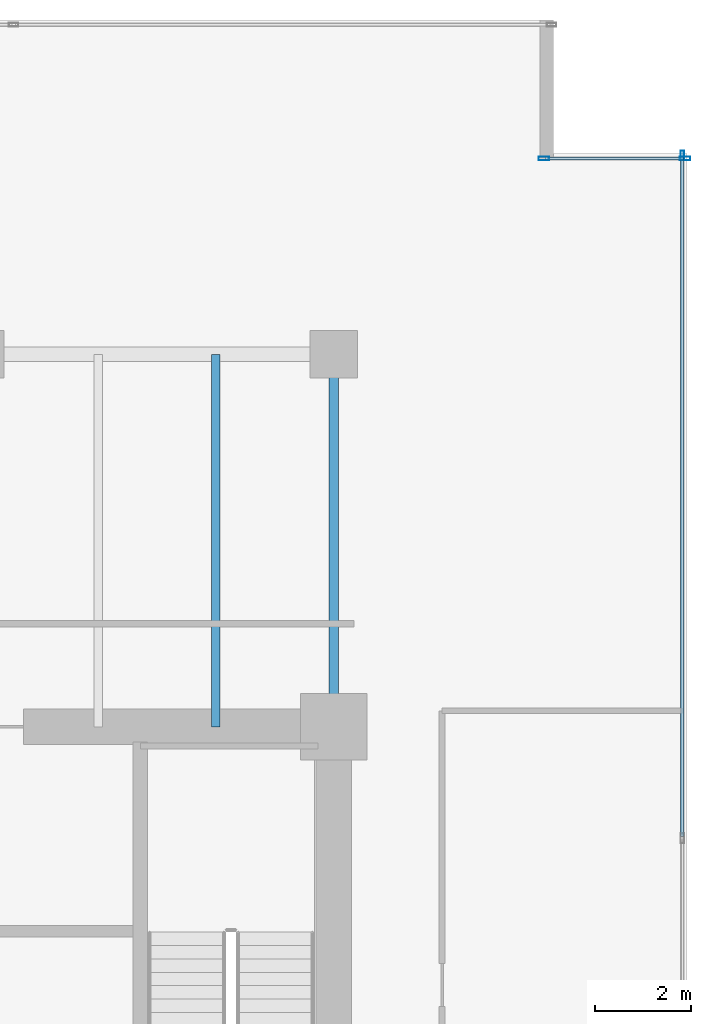
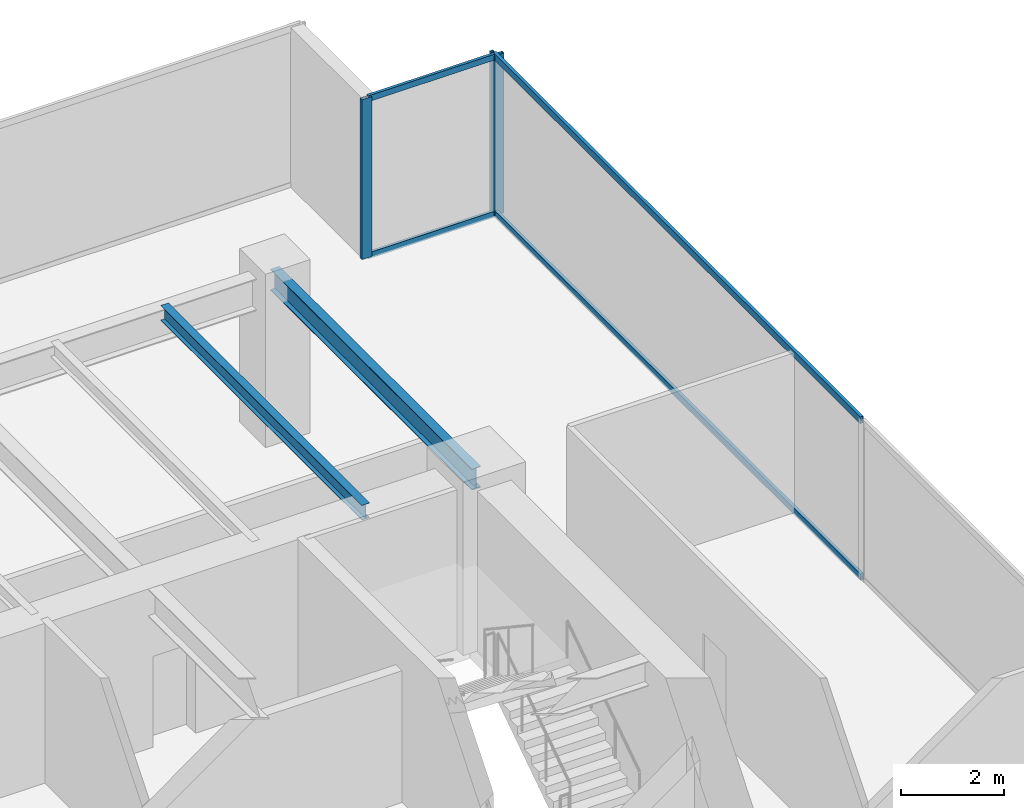
# One storey, part 26 of 35: 7 members, 2 beams, 2 elements without a shape of their own.
"""IFC4 building model written with IfcOpenShell, lengths in metres."""

from ifc_helpers import new_model, si_unit, direction, frame, origin, origin_2d, place, context, subcontext, project, spatial, hollow_rectangle, i_section, extrude, source, transform, mapped, material, layer, layer_set, material_profile, profile_set, type_object, type_shapes, element, aggregate, save


model = new_model("IFC4")

# Units and contexts
model_context = context("Model", 3, precision=1e-05, world=origin(), true_north=direction((0.0, 1.0)))
body_context = subcontext(model_context, "Body", "Model", "MODEL_VIEW")
ifc_project = project(units=[si_unit("LENGTHUNIT", "METRE"), si_unit("AREAUNIT", "SQUARE_METRE"), si_unit("VOLUMEUNIT", "CUBIC_METRE"), si_unit("PLANEANGLEUNIT", "RADIAN"), si_unit("MASSUNIT", "GRAM", prefix="KILO")], contexts=[model_context])

# Site, building, storey
site_placement = place(None, origin())
site = spatial("IfcSite", under=ifc_project, at=site_placement, CompositionType="ELEMENT")
building_placement = place(site_placement, origin())
building = spatial("IfcBuilding", under=site, at=building_placement, Name="Haelvirn Gate Laboratories", CompositionType="ELEMENT")
storey_placement = place(building_placement, frame((0.0, 0.0, 90.800048828125)))
storey = spatial("IfcBuildingStorey", under=building, at=storey_placement, Name="L22", CompositionType="ELEMENT", Elevation=90.800048828125)

# Beams
ifc_material_1 = material(Name="Steel SM355", Category="steel")
ifc_material_profile_1 = material_profile(ifc_material_1, i_section(OverallWidth=0.199951171875, OverallDepth=0.5, WebThickness=0.010009765625, FlangeThickness=0.01611328125, at=origin_2d()), Name="H-500x200x10x16")
ifc_profile_set_1 = profile_set([ifc_material_profile_1], Name="Steel SM355")
beam_type_1 = type_object("IfcBeamType", Name="BM-SP-500", PredefinedType="SPANDREL", material=ifc_profile_set_1)
shared_shape_1 = source(origin(), body_context, "Body", "SweptSolid", [
    extrude(i_section(OverallWidth=0.199951171875, OverallDepth=0.5, WebThickness=0.010009765625, FlangeThickness=0.01611328125, at=origin_2d()), origin(), (0.0, 0.0, 1.0), 7.800048828125),
])
type_shapes(beam_type_1, [shared_shape_1])
beam_1_placement = place(storey_placement, frame((67.39990234375, 33.800048828125, 3.530029296875), z_axis=(0.0, 1.0, 0.0), x_axis=(-1.0, 0.0, 0.0)))
element("IfcBeam", 1, at=beam_1_placement, inside=storey, type_object=beam_type_1, Name="L22 Perimeter Spandrel X67.4 (33.8-41.6)", PredefinedType="SPANDREL", context=body_context, shape_type="MappedRepresentation", body=[
    mapped(shared_shape_1, transform((0.0, 0.0, 0.0), scale=1.0)),
])
ifc_material_profile_2 = material_profile(ifc_material_1, i_section(OverallWidth=0.175048828125, OverallDepth=0.35009765625, WebThickness=0.007080078125, FlangeThickness=0.010986328125, at=origin_2d()), Name="H-350x175x7x11")
ifc_profile_set_2 = profile_set([ifc_material_profile_2], Name="Steel SM355")
beam_type_2 = type_object("IfcBeamType", Name="BM-J-350", PredefinedType="JOIST", material=ifc_profile_set_2)
shared_shape_2 = source(origin(), body_context, "Body", "SweptSolid", [
    extrude(i_section(OverallWidth=0.175048828125, OverallDepth=0.35009765625, WebThickness=0.007080078125, FlangeThickness=0.010986328125, at=origin_2d()), origin(), (0.0, 0.0, 1.0), 7.800048828125),
])
type_shapes(beam_type_2, [shared_shape_2])
beam_2_placement = place(storey_placement, frame((64.929931640625, 33.800048828125, 3.60498046875), z_axis=(0.0, 1.0, 0.0), x_axis=(-1.0, 0.0, 0.0)))
element("IfcBeam", 2, at=beam_2_placement, inside=storey, type_object=beam_type_2, Name="L22 Composite Lab Joist North X64.93", PredefinedType="JOIST", context=body_context, shape_type="MappedRepresentation", body=[
    mapped(shared_shape_2, transform((0.0, 0.0, 0.0), scale=1.0)),
])

# Curtain wall, member
ifc_material_2 = material(Name="Anodised bronze unitised aluminium & triple low-E glass", Category="aluminium")
ifc_layer_1 = layer(ifc_material_2, 0.18408203125, Name="CW-SYS-2")
ifc_layer_set_1 = layer_set([ifc_layer_1], Name="Anodised bronze unitised aluminium & triple low-E glass")
curtain_wall_type_1 = type_object("IfcCurtainWallType", Name="CW-SYS-2", PredefinedType="NOTDEFINED", material=ifc_layer_set_1)
curtain_wall_1_placement = place(storey_placement, origin())
curtain_wall_1 = element("IfcCurtainWall", 3, at=curtain_wall_1_placement, inside=storey, type_object=curtain_wall_type_1, Name="L22 Unitised Curtain Wall CW-L22-P0-E07", PredefinedType="NOTDEFINED")
ifc_material_3 = material(Name="Extruded aluminium 6063-T6 (anodised bronze)", Category="aluminium")
ifc_material_profile_3 = material_profile(ifc_material_3, hollow_rectangle(XDim=0.074951171875, YDim=0.199951171875, WallThickness=0.0048828125, at=origin_2d()), Name="CWM-200x75x5")
ifc_profile_set_3 = profile_set([ifc_material_profile_3], Name="Extruded aluminium 6063-T6 (anodised bronze)")
member_type_1 = type_object("IfcMemberType", Name="CWM-T200", PredefinedType="MULLION", material=ifc_profile_set_3)
shared_shape_3 = source(origin(), body_context, "Body", "SweptSolid", [
    extrude(hollow_rectangle(XDim=0.074951171875, YDim=0.199951171875, WallThickness=0.0048828125, at=origin_2d()), origin(), (0.0, 0.0, 1.0), 3.780029296875),
])
type_shapes(member_type_1, [shared_shape_3])
member_1_placement = place(storey_placement, frame((74.699951171875, 45.762451171875, 0.0), z_axis=(0.0, 0.0, 1.0), x_axis=(-1.0, 0.0, 0.0)))
member_1 = element("IfcMember", 4, at=member_1_placement, type_object=member_type_1, Name="CW2 mullion 4", PredefinedType="MULLION", context=body_context, shape_type="MappedRepresentation", body=[
    mapped(shared_shape_3, transform((0.0, 0.0, 0.0), scale=1.0)),
])

# Curtain wall, members
ifc_layer_2 = layer(ifc_material_2, 0.181884765625, Name="CW-SYS-5")
ifc_layer_set_2 = layer_set([ifc_layer_2], Name="Anodised bronze unitised aluminium & triple low-E glass")
curtain_wall_type_2 = type_object("IfcCurtainWallType", Name="CW-SYS-5", PredefinedType="NOTDEFINED", material=ifc_layer_set_2)
curtain_wall_2_placement = place(storey_placement, origin())
curtain_wall_2 = element("IfcCurtainWall", 5, at=curtain_wall_2_placement, inside=storey, type_object=curtain_wall_type_2, Name="L22 Unitised Curtain Wall CW-L22-P0-E08-1", PredefinedType="NOTDEFINED")
ifc_material_profile_4 = material_profile(ifc_material_3, hollow_rectangle(XDim=0.080078125, YDim=0.219970703125, WallThickness=0.006103515625, at=origin_2d()), Name="CWM-220x80x6")
ifc_profile_set_4 = profile_set([ifc_material_profile_4], Name="Extruded aluminium 6063-T6 (anodised bronze)")
member_type_2 = type_object("IfcMemberType", Name="CWM-T220", PredefinedType="MULLION", material=ifc_profile_set_4)
shared_shape_4 = source(origin(), body_context, "Body", "SweptSolid", [
    extrude(hollow_rectangle(XDim=0.080078125, YDim=0.219970703125, WallThickness=0.006103515625, at=origin_2d()), origin(), (0.0, 0.0, 1.0), 3.780029296875),
])
type_shapes(member_type_2, [shared_shape_4])
member_2_placement = place(storey_placement, frame((71.800048828125, 45.699951171875, 0.0), z_axis=(0.0, 0.0, 1.0), x_axis=(0.0, 1.0, 0.0)))
member_2 = element("IfcMember", 6, at=member_2_placement, type_object=member_type_2, Name="CW5 mullion 1", PredefinedType="MULLION", context=body_context, shape_type="MappedRepresentation", body=[
    mapped(shared_shape_4, transform((0.0, 0.0, 0.0), scale=1.0)),
])
member_3_placement = place(storey_placement, frame((74.760009765625, 45.699951171875, 0.0), z_axis=(0.0, 0.0, 1.0), x_axis=(0.0, 1.0, 0.0)))
member_3 = element("IfcMember", 7, at=member_3_placement, type_object=member_type_2, Name="CW5 mullion 2", PredefinedType="MULLION", context=body_context, shape_type="MappedRepresentation", body=[
    mapped(shared_shape_4, transform((0.0, 0.0, 0.0), scale=1.0)),
])
ifc_material_profile_5 = material_profile(ifc_material_3, hollow_rectangle(XDim=0.06494140625, YDim=0.139892578125, WallThickness=0.00390625, at=origin_2d()), Name="CWT-140x65x4")
ifc_profile_set_5 = profile_set([ifc_material_profile_5], Name="Extruded aluminium 6063-T6 (anodised bronze)")
member_type_3 = type_object("IfcMemberType", Name="CWT-T140", PredefinedType="USERDEFINED", material=ifc_profile_set_5)
shared_shape_5 = source(origin(), body_context, "Body", "SweptSolid", [
    extrude(hollow_rectangle(XDim=0.06494140625, YDim=0.139892578125, WallThickness=0.00390625, at=origin_2d()), origin(), (0.0, 0.0, 1.0), 2.8798828125),
])
type_shapes(member_type_3, [shared_shape_5])
member_4_placement = place(storey_placement, frame((71.840087890625, 45.699951171875, 0.032470703125), z_axis=(1.0, 0.0, 0.0), x_axis=(0.0, 1.0, 0.0)))
member_4 = element("IfcMember", 8, at=member_4_placement, type_object=member_type_3, Name="CW5 transom 1.1", ObjectType="TRANSOM", PredefinedType="USERDEFINED", context=body_context, shape_type="MappedRepresentation", body=[
    mapped(shared_shape_5, transform((0.0, 0.0, 0.0), scale=1.0)),
])
member_5_placement = place(storey_placement, frame((71.840087890625, 45.699951171875, 3.74755859375), z_axis=(1.0, 0.0, 0.0), x_axis=(0.0, 1.0, 0.0)))
member_5 = element("IfcMember", 9, at=member_5_placement, type_object=member_type_3, Name="CW5 transom 1.2", ObjectType="TRANSOM", PredefinedType="USERDEFINED", context=body_context, shape_type="MappedRepresentation", body=[
    mapped(shared_shape_5, transform((0.0, 0.0, 0.0), scale=1.0)),
])
aggregate(curtain_wall_2, [member_2, member_3, member_4, member_5])

# Member
ifc_material_profile_6 = material_profile(ifc_material_3, hollow_rectangle(XDim=0.070068359375, YDim=0.159912109375, WallThickness=0.0048828125, at=origin_2d()), Name="CWT-160x70x5")
ifc_profile_set_6 = profile_set([ifc_material_profile_6], Name="Extruded aluminium 6063-T6 (anodised bronze)")
member_type_4 = type_object("IfcMemberType", Name="CWT-T160", PredefinedType="USERDEFINED", material=ifc_profile_set_6)
shared_shape_6 = source(origin(), body_context, "Body", "SweptSolid", [
    extrude(hollow_rectangle(XDim=0.070068359375, YDim=0.159912109375, WallThickness=0.0048828125, at=origin_2d()), origin(), (0.0, 0.0, 1.0), 14.220947265625),
])
type_shapes(member_type_4, [shared_shape_6])
member_6_placement = place(storey_placement, frame((74.699951171875, 31.504150390625, 0.034912109375), z_axis=(0.0, 1.0, 0.0), x_axis=(-1.0, 0.0, 0.0)))
member_6 = element("IfcMember", 10, at=member_6_placement, type_object=member_type_4, Name="CW2 transom 3.1", ObjectType="TRANSOM", PredefinedType="USERDEFINED", context=body_context, shape_type="MappedRepresentation", body=[
    mapped(shared_shape_6, transform((0.0, 0.0, 0.0), scale=1.0)),
])

member_7_placement = place(storey_placement, frame((74.699951171875, 31.504150390625, 3.744873046875), z_axis=(0.0, 1.0, 0.0), x_axis=(-1.0, 0.0, 0.0)))
member_7 = element("IfcMember", 11, at=member_7_placement, type_object=member_type_4, Name="CW2 transom 3.2", ObjectType="TRANSOM", PredefinedType="USERDEFINED", context=body_context, shape_type="MappedRepresentation", body=[
    mapped(shared_shape_6, transform((0.0, 0.0, 0.0), scale=1.0)),
])

aggregate(curtain_wall_1, [member_1, member_6, member_7])

save(model, "model.ifc")
